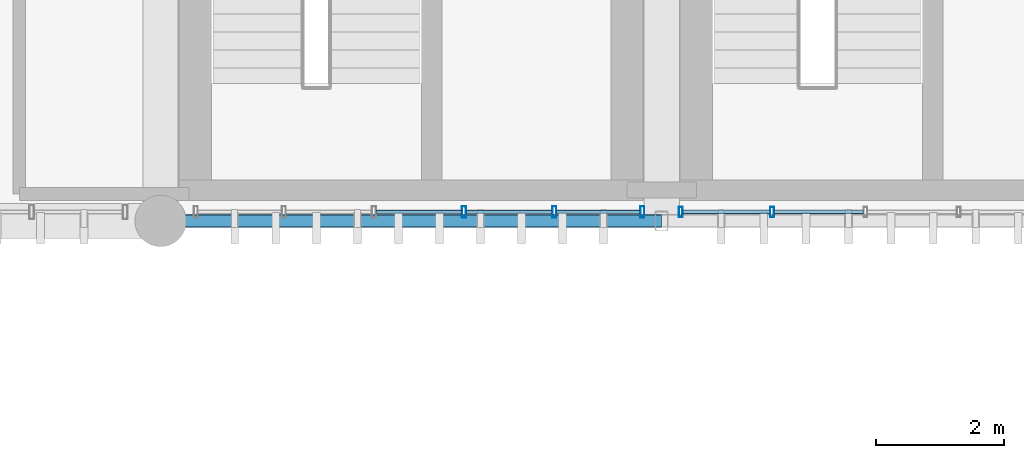
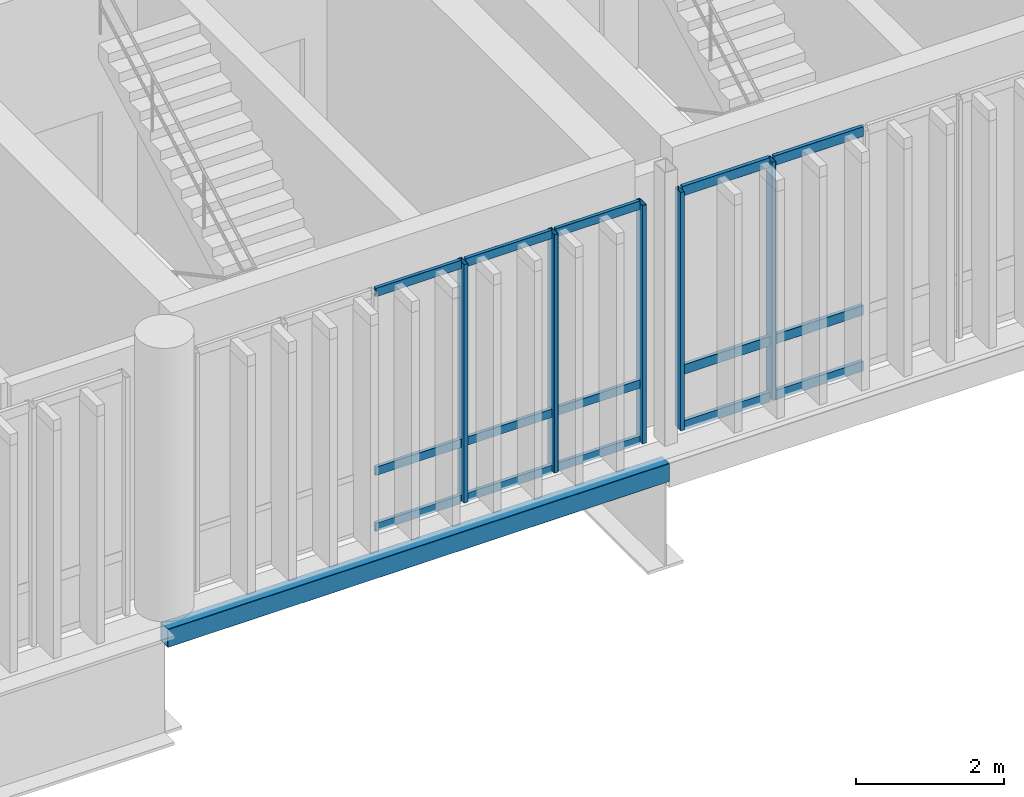
# One storey, part 24 of 53: 20 members, 1 beam, 2 elements without a shape of their own.
"""IFC4 building model written with IfcOpenShell, lengths in metres."""

from ifc_helpers import new_model, si_unit, direction, frame, origin_with_axes, origin_2d_with_axis, place, context, subcontext, project, spatial, hollow_rectangle, extrude, material, material_profile, profile_set, type_object, element, aggregate, save


model = new_model("IFC4")

# Units and contexts
model_context = context("Model", 3, precision=1e-05, world=origin_with_axes(), true_north=direction((0.0, 1.0)))
body_context = subcontext(model_context, "Body", "Model", "MODEL_VIEW")
ifc_project = project(units=[si_unit("LENGTHUNIT", "METRE"), si_unit("AREAUNIT", "SQUARE_METRE"), si_unit("VOLUMEUNIT", "CUBIC_METRE"), si_unit("PLANEANGLEUNIT", "RADIAN"), si_unit("MASSUNIT", "GRAM", prefix="KILO"), si_unit("THERMODYNAMICTEMPERATUREUNIT", "KELVIN")], contexts=[model_context])

# Site, building, storey
site_placement = place(None, origin_with_axes())
site = spatial("IfcSite", under=ifc_project, at=site_placement, CompositionType="ELEMENT")
building_placement = place(site_placement, origin_with_axes())
building = spatial("IfcBuilding", under=site, at=building_placement, Name="Montbau Bow Law Courts", CompositionType="ELEMENT")
storey_placement = place(building_placement, frame((0.0, 0.0, 39.0), z_axis=(0.0, 0.0, 1.0), x_axis=(1.0, 0.0, 0.0)))
storey = spatial("IfcBuildingStorey", under=building, at=storey_placement, Name="L08", CompositionType="ELEMENT", Elevation=39.0)

# Beam
ifc_material_1 = material(Name="Steel CSA G40.21 Grade 350WT (350 MPa)", Category="steel")
ifc_material_profile_1 = material_profile(ifc_material_1, hollow_rectangle(XDim=0.203, YDim=0.305, WallThickness=0.0127, InnerFilletRadius=0.0254, OuterFilletRadius=0.0127, at=origin_2d_with_axis()), Name="HSS305X203X13", Category="Main", Priority=0)
ifc_profile_set_1 = profile_set([ifc_material_profile_1], Name="Steel CSA G40.21 Grade 350WT (350 MPa)")
beam_type = type_object("IfcBeamType", Name="B-SPN-02", PredefinedType="SPANDREL", material=ifc_profile_set_1)
beam_placement = place(None, frame((147.0, 86.4, 38.507), z_axis=(1.0, 0.0, 0.0), x_axis=(0.0, 1.0, 0.0)))
element("IfcBeam", 1, at=beam_placement, inside=storey, type_object=beam_type, Name="SPN-L08-S1378:bm2_1381", PredefinedType="SPANDREL", context=body_context, shape_type="SweptSolid", body=[
    extrude(hollow_rectangle(XDim=0.203, YDim=0.305, WallThickness=0.0127, InnerFilletRadius=0.0254, OuterFilletRadius=0.0127, at=origin_2d_with_axis()), origin_with_axes(), (0.0, 0.0, 1.0), 7.8),
])

# Curtain wall, members
ifc_material_2 = material(Name="Thermally Broken Extruded Aluminium AA 6063-T6", Category="aluminium")
curtain_wall_type = type_object("IfcCurtainWallType", Name="CW-CRM-03", PredefinedType="NOTDEFINED", material=ifc_material_2)
curtain_wall_1_placement = place(None, frame((147.515, 86.54, 39.0), z_axis=(0.0, 0.0, 1.0), x_axis=(1.0, 0.0, 0.0)))
curtain_wall_1 = element("IfcCurtainWall", 2, at=curtain_wall_1_placement, inside=storey, type_object=curtain_wall_type, Name="CW-L08-373:cw_0373", PredefinedType="NOTDEFINED")
ifc_material_profile_2 = material_profile(ifc_material_2, hollow_rectangle(XDim=0.065, YDim=0.18, WallThickness=0.005, InnerFilletRadius=0.01, OuterFilletRadius=0.005, at=origin_2d_with_axis()), Name="CWM-180X65", Category="Main", Priority=0)
ifc_profile_set_2 = profile_set([ifc_material_profile_2], Name="Thermally Broken Extruded Aluminium AA 6063-T6")
member_type_1 = type_object("IfcMemberType", Name="M-MUL-02", PredefinedType="MULLION", material=ifc_profile_set_2)
member_1_placement = place(None, frame((151.725, 86.54, 39.0), z_axis=(0.0, 0.0, 1.0), x_axis=(1.0, 0.0, 0.0)))
member_1 = element("IfcMember", 3, at=member_1_placement, type_object=member_type_1, Name="CW-L08-373-M04:cw_0373_M04", PredefinedType="MULLION", context=body_context, shape_type="SweptSolid", body=[
    extrude(hollow_rectangle(XDim=0.065, YDim=0.18, WallThickness=0.005, InnerFilletRadius=0.01, OuterFilletRadius=0.005, at=origin_2d_with_axis()), origin_with_axes(), (0.0, 0.0, 1.0), 3.92),
])
member_2_placement = place(None, frame((153.129, 86.54, 39.0), z_axis=(0.0, 0.0, 1.0), x_axis=(1.0, 0.0, 0.0)))
member_2 = element("IfcMember", 4, at=member_2_placement, type_object=member_type_1, Name="CW-L08-373-M05:cw_0373_M05", PredefinedType="MULLION", context=body_context, shape_type="SweptSolid", body=[
    extrude(hollow_rectangle(XDim=0.065, YDim=0.18, WallThickness=0.005, InnerFilletRadius=0.01, OuterFilletRadius=0.005, at=origin_2d_with_axis()), origin_with_axes(), (0.0, 0.0, 1.0), 3.92),
])
member_3_placement = place(None, frame((154.5, 86.54, 39.0), z_axis=(0.0, 0.0, 1.0), x_axis=(1.0, 0.0, 0.0)))
member_3 = element("IfcMember", 5, at=member_3_placement, type_object=member_type_1, Name="CW-L08-373-M06:cw_0373_M06", PredefinedType="MULLION", context=body_context, shape_type="SweptSolid", body=[
    extrude(hollow_rectangle(XDim=0.065, YDim=0.18, WallThickness=0.005, InnerFilletRadius=0.01, OuterFilletRadius=0.005, at=origin_2d_with_axis()), origin_with_axes(), (0.0, 0.0, 1.0), 3.92),
])

curtain_wall_2_placement = place(None, frame((155.068, 86.54, 39.0), z_axis=(0.0, 0.0, 1.0), x_axis=(1.0, 0.0, 0.0)))
curtain_wall_2 = element("IfcCurtainWall", 6, at=curtain_wall_2_placement, inside=storey, type_object=curtain_wall_type, Name="CW-L08-374:cw_0374", PredefinedType="NOTDEFINED")
ifc_material_profile_3 = material_profile(ifc_material_2, hollow_rectangle(XDim=0.06, YDim=0.16, WallThickness=0.004, InnerFilletRadius=0.008, OuterFilletRadius=0.004, at=origin_2d_with_axis()), Name="CWM-160X60", Category="Main", Priority=0)
ifc_profile_set_3 = profile_set([ifc_material_profile_3], Name="Thermally Broken Extruded Aluminium AA 6063-T6")
member_type_2 = type_object("IfcMemberType", Name="M-MUL-03", PredefinedType="MULLION", material=ifc_profile_set_3)
member_4_placement = place(None, frame((155.098, 86.54, 39.0), z_axis=(0.0, 0.0, 1.0), x_axis=(1.0, 0.0, 0.0)))
member_4 = element("IfcMember", 7, at=member_4_placement, type_object=member_type_2, Name="CW-L08-374-M01:cw_0374_M01", PredefinedType="MULLION", context=body_context, shape_type="SweptSolid", body=[
    extrude(hollow_rectangle(XDim=0.06, YDim=0.16, WallThickness=0.004, InnerFilletRadius=0.008, OuterFilletRadius=0.004, at=origin_2d_with_axis()), origin_with_axes(), (0.0, 0.0, 1.0), 3.92),
])
member_5_placement = place(None, frame((156.521, 86.54, 39.0), z_axis=(0.0, 0.0, 1.0), x_axis=(1.0, 0.0, 0.0)))
member_5 = element("IfcMember", 8, at=member_5_placement, type_object=member_type_2, Name="CW-L08-374-M02:cw_0374_M02", PredefinedType="MULLION", context=body_context, shape_type="SweptSolid", body=[
    extrude(hollow_rectangle(XDim=0.06, YDim=0.16, WallThickness=0.004, InnerFilletRadius=0.008, OuterFilletRadius=0.004, at=origin_2d_with_axis()), origin_with_axes(), (0.0, 0.0, 1.0), 3.92),
])
ifc_material_profile_4 = material_profile(ifc_material_2, hollow_rectangle(XDim=0.06, YDim=0.16, WallThickness=0.004, InnerFilletRadius=0.008, OuterFilletRadius=0.004, at=origin_2d_with_axis()), Name="CWT-160X60", Category="Main", Priority=0)
ifc_profile_set_4 = profile_set([ifc_material_profile_4], Name="Thermally Broken Extruded Aluminium AA 6063-T6")
member_type_3 = type_object("IfcMemberType", Name="M-TRN-01", PredefinedType="USERDEFINED", material=ifc_profile_set_4)
member_6_placement = place(None, frame((155.13, 86.54, 39.03), z_axis=(1.0, 0.0, 0.0), x_axis=(0.0, 1.0, 0.0)))
member_6 = element("IfcMember", 9, at=member_6_placement, type_object=member_type_3, Name="CW-L08-374-T01-1:cw_0374_T01_1", ObjectType="TRANSOM", PredefinedType="USERDEFINED", context=body_context, shape_type="SweptSolid", body=[
    extrude(hollow_rectangle(XDim=0.06, YDim=0.16, WallThickness=0.004, InnerFilletRadius=0.008, OuterFilletRadius=0.004, at=origin_2d_with_axis()), origin_with_axes(), (0.0, 0.0, 1.0), 1.359),
])
member_7_placement = place(None, frame((155.13, 86.54, 39.95), z_axis=(1.0, 0.0, 0.0), x_axis=(0.0, 1.0, 0.0)))
member_7 = element("IfcMember", 10, at=member_7_placement, type_object=member_type_3, Name="CW-L08-374-T01-2:cw_0374_T01_2", ObjectType="TRANSOM", PredefinedType="USERDEFINED", context=body_context, shape_type="SweptSolid", body=[
    extrude(hollow_rectangle(XDim=0.06, YDim=0.16, WallThickness=0.004, InnerFilletRadius=0.008, OuterFilletRadius=0.004, at=origin_2d_with_axis()), origin_with_axes(), (0.0, 0.0, 1.0), 1.359),
])
member_8_placement = place(None, frame((155.13, 86.54, 42.89), z_axis=(1.0, 0.0, 0.0), x_axis=(0.0, 1.0, 0.0)))
member_8 = element("IfcMember", 11, at=member_8_placement, type_object=member_type_3, Name="CW-L08-374-T01-3:cw_0374_T01_3", ObjectType="TRANSOM", PredefinedType="USERDEFINED", context=body_context, shape_type="SweptSolid", body=[
    extrude(hollow_rectangle(XDim=0.06, YDim=0.16, WallThickness=0.004, InnerFilletRadius=0.008, OuterFilletRadius=0.004, at=origin_2d_with_axis()), origin_with_axes(), (0.0, 0.0, 1.0), 1.359),
])
member_9_placement = place(None, frame((156.553, 86.54, 39.03), z_axis=(1.0, 0.0, 0.0), x_axis=(0.0, 1.0, 0.0)))
member_9 = element("IfcMember", 12, at=member_9_placement, type_object=member_type_3, Name="CW-L08-374-T02-1:cw_0374_T02_1", ObjectType="TRANSOM", PredefinedType="USERDEFINED", context=body_context, shape_type="SweptSolid", body=[
    extrude(hollow_rectangle(XDim=0.06, YDim=0.16, WallThickness=0.004, InnerFilletRadius=0.008, OuterFilletRadius=0.004, at=origin_2d_with_axis()), origin_with_axes(), (0.0, 0.0, 1.0), 1.389),
])
member_10_placement = place(None, frame((156.553, 86.54, 39.95), z_axis=(1.0, 0.0, 0.0), x_axis=(0.0, 1.0, 0.0)))
member_10 = element("IfcMember", 13, at=member_10_placement, type_object=member_type_3, Name="CW-L08-374-T02-2:cw_0374_T02_2", ObjectType="TRANSOM", PredefinedType="USERDEFINED", context=body_context, shape_type="SweptSolid", body=[
    extrude(hollow_rectangle(XDim=0.06, YDim=0.16, WallThickness=0.004, InnerFilletRadius=0.008, OuterFilletRadius=0.004, at=origin_2d_with_axis()), origin_with_axes(), (0.0, 0.0, 1.0), 1.389),
])
member_11_placement = place(None, frame((156.553, 86.54, 42.89), z_axis=(1.0, 0.0, 0.0), x_axis=(0.0, 1.0, 0.0)))
member_11 = element("IfcMember", 14, at=member_11_placement, type_object=member_type_3, Name="CW-L08-374-T02-3:cw_0374_T02_3", ObjectType="TRANSOM", PredefinedType="USERDEFINED", context=body_context, shape_type="SweptSolid", body=[
    extrude(hollow_rectangle(XDim=0.06, YDim=0.16, WallThickness=0.004, InnerFilletRadius=0.008, OuterFilletRadius=0.004, at=origin_2d_with_axis()), origin_with_axes(), (0.0, 0.0, 1.0), 1.389),
])
aggregate(curtain_wall_2, [member_4, member_5, member_6, member_7, member_8, member_9, member_10, member_11])

# Member
ifc_material_profile_5 = material_profile(ifc_material_2, hollow_rectangle(XDim=0.055, YDim=0.14, WallThickness=0.004, InnerFilletRadius=0.008, OuterFilletRadius=0.004, at=origin_2d_with_axis()), Name="CWT-140X55", Category="Main", Priority=0)
ifc_profile_set_5 = profile_set([ifc_material_profile_5], Name="Thermally Broken Extruded Aluminium AA 6063-T6")
member_type_4 = type_object("IfcMemberType", Name="M-TRN-02", PredefinedType="USERDEFINED", material=ifc_profile_set_5)
member_12_placement = place(None, frame((150.356, 86.54, 39.028), z_axis=(1.0, 0.0, 0.0), x_axis=(0.0, 1.0, 0.0)))
member_12 = element("IfcMember", 15, at=member_12_placement, type_object=member_type_4, Name="CW-L08-373-T03-1:cw_0373_T03_1", ObjectType="TRANSOM", PredefinedType="USERDEFINED", context=body_context, shape_type="SweptSolid", body=[
    extrude(hollow_rectangle(XDim=0.055, YDim=0.14, WallThickness=0.004, InnerFilletRadius=0.008, OuterFilletRadius=0.004, at=origin_2d_with_axis()), origin_with_axes(), (0.0, 0.0, 1.0), 1.335),
])

member_13_placement = place(None, frame((150.356, 86.54, 39.95), z_axis=(1.0, 0.0, 0.0), x_axis=(0.0, 1.0, 0.0)))
member_13 = element("IfcMember", 16, at=member_13_placement, type_object=member_type_4, Name="CW-L08-373-T03-2:cw_0373_T03_2", ObjectType="TRANSOM", PredefinedType="USERDEFINED", context=body_context, shape_type="SweptSolid", body=[
    extrude(hollow_rectangle(XDim=0.055, YDim=0.14, WallThickness=0.004, InnerFilletRadius=0.008, OuterFilletRadius=0.004, at=origin_2d_with_axis()), origin_with_axes(), (0.0, 0.0, 1.0), 1.335),
])

member_14_placement = place(None, frame((150.356, 86.54, 42.892), z_axis=(1.0, 0.0, 0.0), x_axis=(0.0, 1.0, 0.0)))
member_14 = element("IfcMember", 17, at=member_14_placement, type_object=member_type_4, Name="CW-L08-373-T03-3:cw_0373_T03_3", ObjectType="TRANSOM", PredefinedType="USERDEFINED", context=body_context, shape_type="SweptSolid", body=[
    extrude(hollow_rectangle(XDim=0.055, YDim=0.14, WallThickness=0.004, InnerFilletRadius=0.008, OuterFilletRadius=0.004, at=origin_2d_with_axis()), origin_with_axes(), (0.0, 0.0, 1.0), 1.335),
])

member_15_placement = place(None, frame((151.759, 86.54, 39.028), z_axis=(1.0, 0.0, 0.0), x_axis=(0.0, 1.0, 0.0)))
member_15 = element("IfcMember", 18, at=member_15_placement, type_object=member_type_4, Name="CW-L08-373-T04-1:cw_0373_T04_1", ObjectType="TRANSOM", PredefinedType="USERDEFINED", context=body_context, shape_type="SweptSolid", body=[
    extrude(hollow_rectangle(XDim=0.055, YDim=0.14, WallThickness=0.004, InnerFilletRadius=0.008, OuterFilletRadius=0.004, at=origin_2d_with_axis()), origin_with_axes(), (0.0, 0.0, 1.0), 1.336),
])

member_16_placement = place(None, frame((151.759, 86.54, 39.95), z_axis=(1.0, 0.0, 0.0), x_axis=(0.0, 1.0, 0.0)))
member_16 = element("IfcMember", 19, at=member_16_placement, type_object=member_type_4, Name="CW-L08-373-T04-2:cw_0373_T04_2", ObjectType="TRANSOM", PredefinedType="USERDEFINED", context=body_context, shape_type="SweptSolid", body=[
    extrude(hollow_rectangle(XDim=0.055, YDim=0.14, WallThickness=0.004, InnerFilletRadius=0.008, OuterFilletRadius=0.004, at=origin_2d_with_axis()), origin_with_axes(), (0.0, 0.0, 1.0), 1.336),
])

member_17_placement = place(None, frame((151.759, 86.54, 42.892), z_axis=(1.0, 0.0, 0.0), x_axis=(0.0, 1.0, 0.0)))
member_17 = element("IfcMember", 20, at=member_17_placement, type_object=member_type_4, Name="CW-L08-373-T04-3:cw_0373_T04_3", ObjectType="TRANSOM", PredefinedType="USERDEFINED", context=body_context, shape_type="SweptSolid", body=[
    extrude(hollow_rectangle(XDim=0.055, YDim=0.14, WallThickness=0.004, InnerFilletRadius=0.008, OuterFilletRadius=0.004, at=origin_2d_with_axis()), origin_with_axes(), (0.0, 0.0, 1.0), 1.336),
])

member_18_placement = place(None, frame((153.163, 86.54, 39.028), z_axis=(1.0, 0.0, 0.0), x_axis=(0.0, 1.0, 0.0)))
member_18 = element("IfcMember", 21, at=member_18_placement, type_object=member_type_4, Name="CW-L08-373-T05-1:cw_0373_T05_1", ObjectType="TRANSOM", PredefinedType="USERDEFINED", context=body_context, shape_type="SweptSolid", body=[
    extrude(hollow_rectangle(XDim=0.055, YDim=0.14, WallThickness=0.004, InnerFilletRadius=0.008, OuterFilletRadius=0.004, at=origin_2d_with_axis()), origin_with_axes(), (0.0, 0.0, 1.0), 1.303),
])

member_19_placement = place(None, frame((153.163, 86.54, 39.95), z_axis=(1.0, 0.0, 0.0), x_axis=(0.0, 1.0, 0.0)))
member_19 = element("IfcMember", 22, at=member_19_placement, type_object=member_type_4, Name="CW-L08-373-T05-2:cw_0373_T05_2", ObjectType="TRANSOM", PredefinedType="USERDEFINED", context=body_context, shape_type="SweptSolid", body=[
    extrude(hollow_rectangle(XDim=0.055, YDim=0.14, WallThickness=0.004, InnerFilletRadius=0.008, OuterFilletRadius=0.004, at=origin_2d_with_axis()), origin_with_axes(), (0.0, 0.0, 1.0), 1.303),
])

member_20_placement = place(None, frame((153.163, 86.54, 42.892), z_axis=(1.0, 0.0, 0.0), x_axis=(0.0, 1.0, 0.0)))
member_20 = element("IfcMember", 23, at=member_20_placement, type_object=member_type_4, Name="CW-L08-373-T05-3:cw_0373_T05_3", ObjectType="TRANSOM", PredefinedType="USERDEFINED", context=body_context, shape_type="SweptSolid", body=[
    extrude(hollow_rectangle(XDim=0.055, YDim=0.14, WallThickness=0.004, InnerFilletRadius=0.008, OuterFilletRadius=0.004, at=origin_2d_with_axis()), origin_with_axes(), (0.0, 0.0, 1.0), 1.303),
])

aggregate(curtain_wall_1, [member_1, member_2, member_3, member_12, member_13, member_14, member_15, member_16, member_17, member_18, member_19, member_20])

save(model, "model.ifc")
